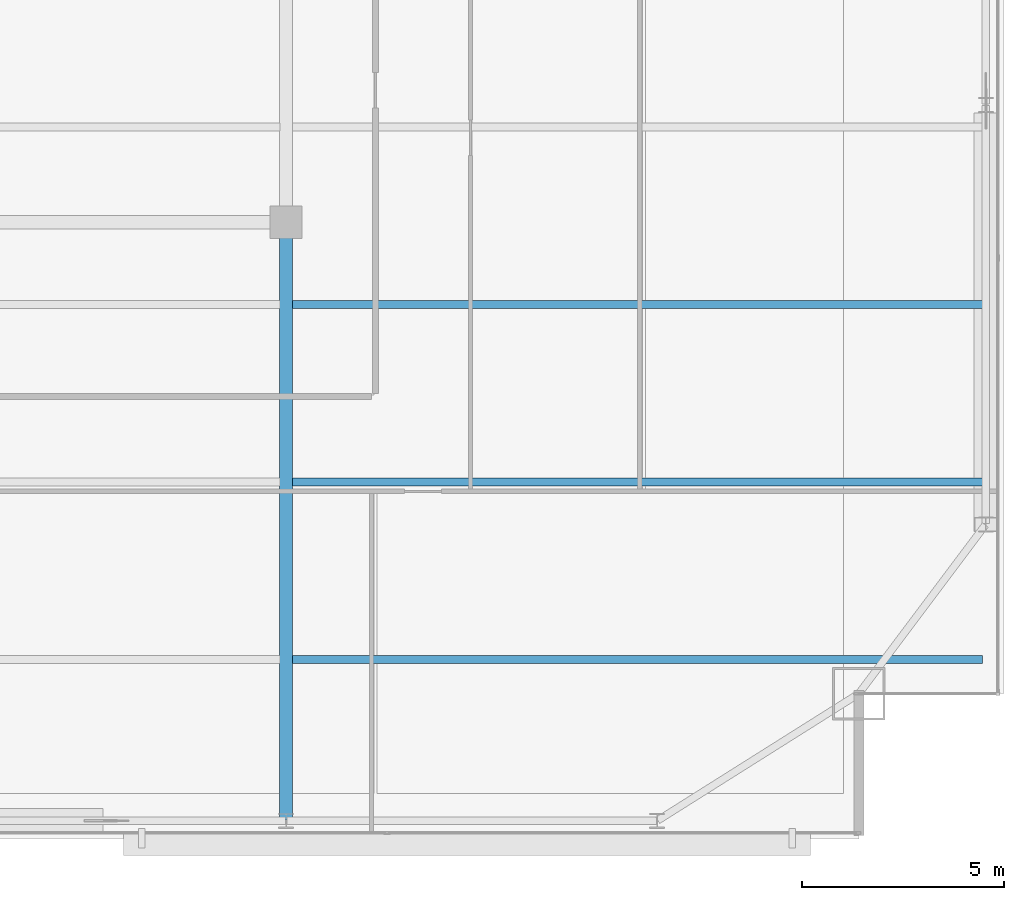
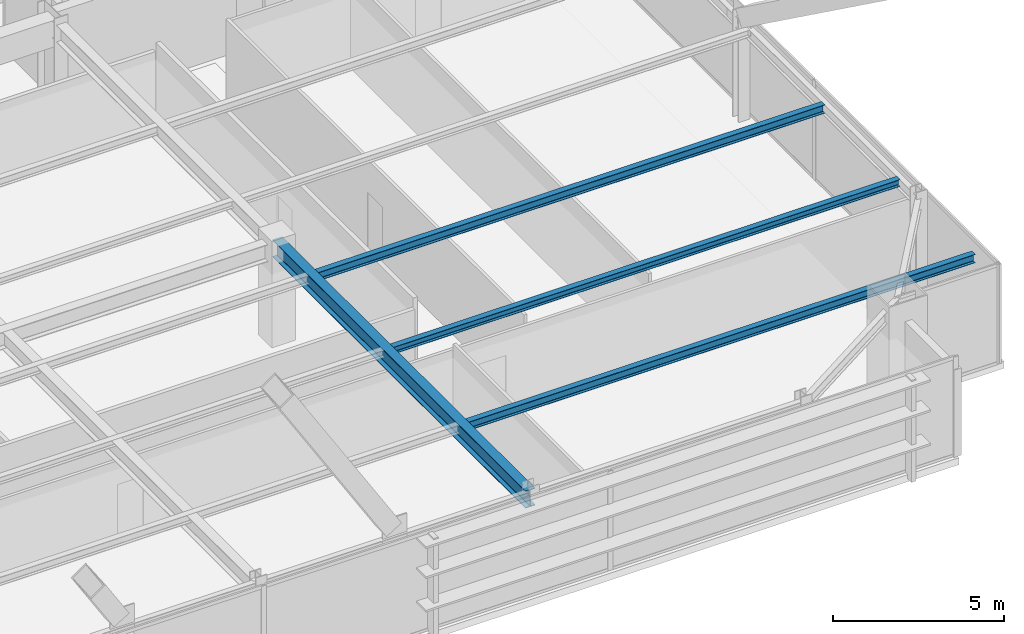
# One storey, part 14 of 30: 4 beams.
"""IFC4 building model written with IfcOpenShell, lengths in metres."""

from ifc_helpers import new_model, si_unit, direction, frame, origin, origin_2d, place, context, subcontext, project, spatial, i_section, extrude, source, transform, mapped, material, material_profile, profile_set, type_object, type_shapes, element, save


model = new_model("IFC4")

# Units and contexts
model_context = context("Model", 3, precision=1e-05, world=origin(), true_north=direction((0.0, 1.0)))
body_context = subcontext(model_context, "Body", "Model", "MODEL_VIEW")
ifc_project = project(units=[si_unit("LENGTHUNIT", "METRE"), si_unit("AREAUNIT", "SQUARE_METRE"), si_unit("VOLUMEUNIT", "CUBIC_METRE"), si_unit("PLANEANGLEUNIT", "RADIAN"), si_unit("MASSUNIT", "GRAM", prefix="KILO")], contexts=[model_context])

# Site, building, storey
site_placement = place(None, origin())
site = spatial("IfcSite", under=ifc_project, at=site_placement, CompositionType="ELEMENT")
building_placement = place(site_placement, origin())
building = spatial("IfcBuilding", under=site, at=building_placement, Name="Varnel Quay Broadcast Tower", CompositionType="ELEMENT")
storey_placement = place(building_placement, frame((0.0, 0.0, 149.60009765625)))
storey = spatial("IfcBuildingStorey", under=building, at=storey_placement, Name="L36", CompositionType="ELEMENT", Elevation=149.60009765625)

# Beams
ifc_material = material(Name="Structural Steel CSA G40.21 350W", Category="steel")
ifc_material_profile_1 = material_profile(ifc_material, i_section(OverallWidth=0.324951171875, OverallDepth=0.615966796875, WebThickness=0.013916015625, FlangeThickness=0.021484375, FilletRadius=0.01611328125, at=origin_2d()), Name="W610X174")
ifc_profile_set_1 = profile_set([ifc_material_profile_1], Name="Structural Steel CSA G40.21 350W")
beam_type_1 = type_object("IfcBeamType", Name="Girder_W610X174", PredefinedType="BEAM", material=ifc_profile_set_1)
shared_shape_1 = source(origin(), body_context, "Body", "SweptSolid", [
    extrude(i_section(OverallWidth=0.324951171875, OverallDepth=0.615966796875, WebThickness=0.013916015625, FlangeThickness=0.021484375, FilletRadius=0.01611328125, at=origin_2d()), origin(), (0.0, 0.0, 1.0), 14.800048828125),
])
type_shapes(beam_type_1, [shared_shape_1])
beam_1_placement = place(storey_placement, frame((43.199951171875, 7.669921875, 3.241943359375), z_axis=(0.0, 1.0, 0.0), x_axis=(-1.0, 0.0, 0.0)))
element("IfcBeam", 1, at=beam_1_placement, inside=storey, type_object=beam_type_1, Name="L36 Primary Girder TC-S4-IC-02", PredefinedType="BEAM", context=body_context, shape_type="MappedRepresentation", body=[
    mapped(shared_shape_1, transform((0.0, 0.0, 0.0), x_axis=(1.0, 0.0, 0.0), y_axis=(0.0, 1.0, 0.0), z_axis=(0.0, 0.0, 1.0), scale=1.0)),
])
ifc_material_profile_2 = material_profile(ifc_material, i_section(OverallWidth=0.202880859375, OverallDepth=0.302978515625, WebThickness=0.007568359375, FlangeThickness=0.01318359375, FilletRadius=0.011962890625, at=origin_2d()), Name="W310X60")
ifc_profile_set_2 = profile_set([ifc_material_profile_2], Name="Structural Steel CSA G40.21 350W")
beam_type_2 = type_object("IfcBeamType", Name="Beam_W310X60", PredefinedType="JOIST", material=ifc_profile_set_2)
shared_shape_2 = source(origin(), body_context, "Body", "SweptSolid", [
    extrude(i_section(OverallWidth=0.202880859375, OverallDepth=0.302978515625, WebThickness=0.007568359375, FlangeThickness=0.01318359375, FilletRadius=0.011962890625, at=origin_2d()), origin(), (0.0, 0.0, 1.0), 17.107177734375),
])
type_shapes(beam_type_2, [shared_shape_2])
for number, where, z_axis, x_axis, name in (
    (2, (43.357421875, 11.64990234375, 3.3984375), (1.0, 0.0, 0.0), (0.0, 1.0, 0.0), "L36 East Floor Joist 1"),
    (3, (43.357421875, 20.449951171875, 3.3984375), (1.0, 0.0, 0.0), (0.0, 1.0, 0.0), "L36 East Floor Joist 3"),
):
    element("IfcBeam", number, at=place(storey_placement, frame(where, z_axis=z_axis, x_axis=x_axis)), inside=storey, type_object=beam_type_2, Name=name, PredefinedType="JOIST", context=body_context, shape_type="MappedRepresentation", body=[
        mapped(shared_shape_2, transform((0.0, 0.0, 0.0), x_axis=(1.0, 0.0, 0.0), y_axis=(0.0, 1.0, 0.0), z_axis=(0.0, 0.0, 1.0), scale=1.0)),
    ])
ifc_material_profile_3 = material_profile(ifc_material, i_section(OverallWidth=0.201904296875, OverallDepth=0.2470703125, WebThickness=0.00732421875, FlangeThickness=0.010986328125, FilletRadius=0.010986328125, at=origin_2d()), Name="W250X49")
ifc_profile_set_3 = profile_set([ifc_material_profile_3], Name="Structural Steel CSA G40.21 350W")
beam_type_3 = type_object("IfcBeamType", Name="Beam_W250X49", PredefinedType="JOIST", material=ifc_profile_set_3)
shared_shape_3 = source(origin(), body_context, "Body", "SweptSolid", [
    extrude(i_section(OverallWidth=0.201904296875, OverallDepth=0.2470703125, WebThickness=0.00732421875, FlangeThickness=0.010986328125, FilletRadius=0.010986328125, at=origin_2d()), origin(), (0.0, 0.0, 1.0), 17.107177734375),
])
type_shapes(beam_type_3, [shared_shape_3])
beam_2_placement = place(storey_placement, frame((43.357421875, 16.050048828125, 3.426513671875), z_axis=(1.0, 0.0, 0.0), x_axis=(0.0, 1.0, 0.0)))
element("IfcBeam", 4, at=beam_2_placement, inside=storey, type_object=beam_type_3, Name="L36 East Floor Joist 2", PredefinedType="JOIST", context=body_context, shape_type="MappedRepresentation", body=[
    mapped(shared_shape_3, transform((0.0, 0.0, 0.0), x_axis=(1.0, 0.0, 0.0), y_axis=(0.0, 1.0, 0.0), z_axis=(0.0, 0.0, 1.0), scale=1.0)),
])

save(model, "model.ifc")
